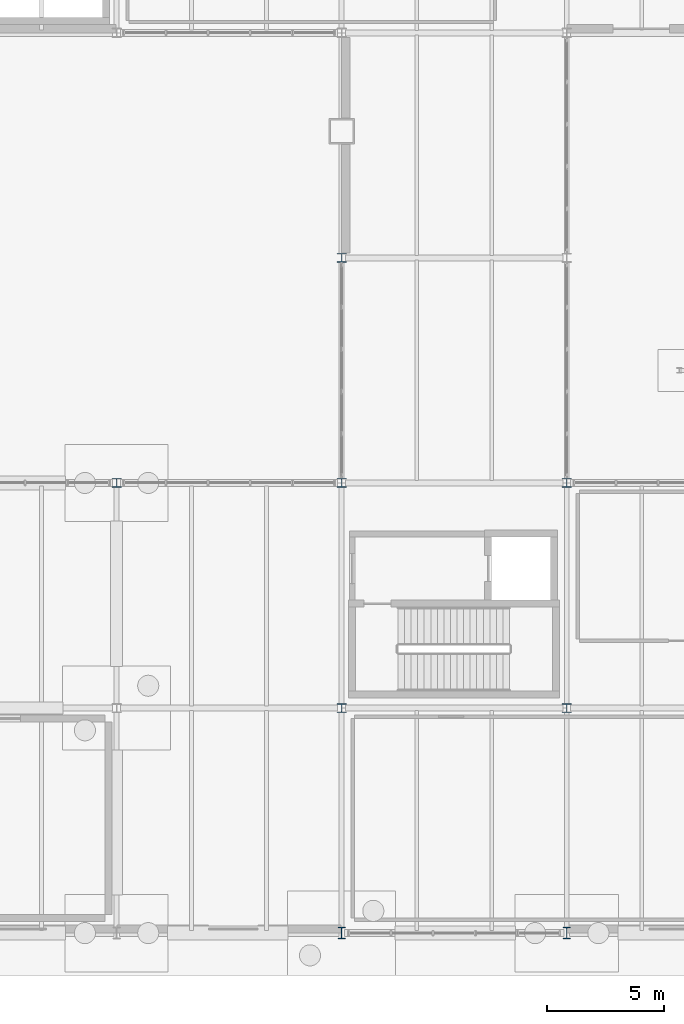
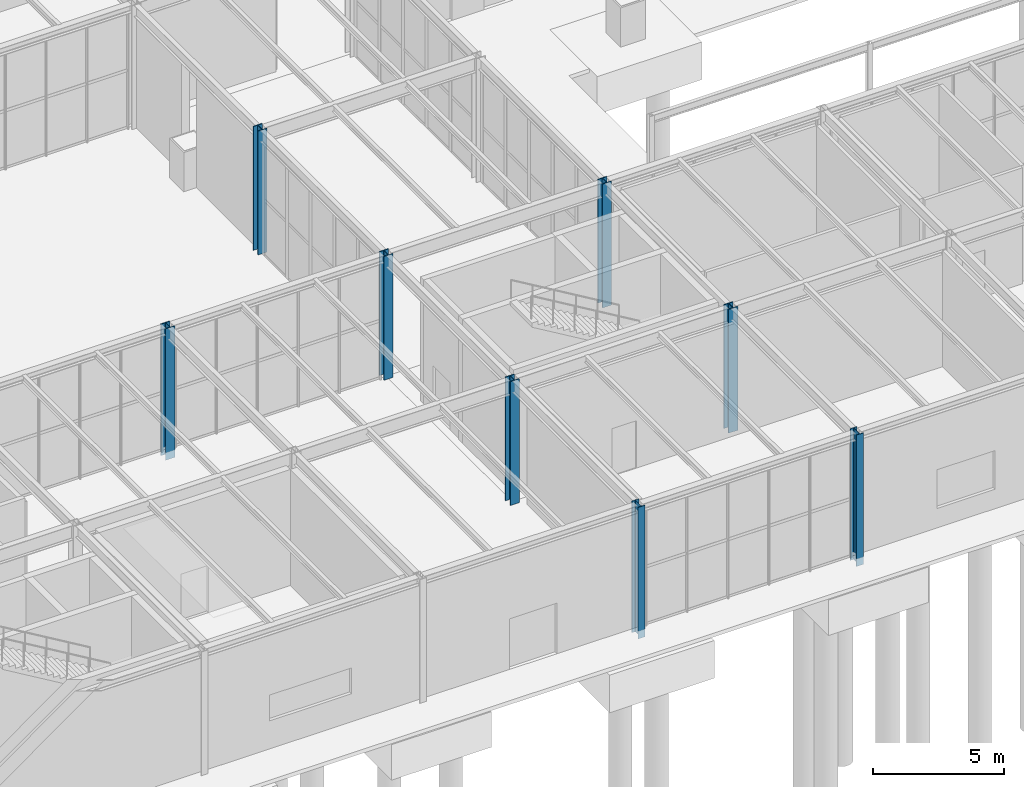
# One storey, part 7 of 142: 8 columns.
"""IFC4 building model written with IfcOpenShell, lengths in metres."""

import ifcopenshell
import ifcopenshell.guid

model = None  # the IFC model being written
_history = None  # IfcOwnerHistory: only IFC2X3 demands one
_inside = {}  # id of a spatial element -> (the spatial element, [elements in it])
_under = {}  # id of a project, library or spatial element -> (it, [spatial elements below it])
_declared = {}  # id of a project -> (the project, [libraries it declares])
_typed = {}  # id of a type object -> (the type object, [elements of that type])
_made_of = {}  # id of a material, layer set ... -> (it, [elements and type objects made of it])


def new_model(schema):
    """Start an empty IFC model of exactly this schema.

    Asked for "IFC4X3", IfcOpenShell would pick the latest addendum, in which some entities
    have other attributes; the version numbers below select the first issue.
    IFC2X3 requires an IfcOwnerHistory on every rooted entity: one is made here for all.
    """
    global model, _history
    if schema == "IFC4X3":
        model = ifcopenshell.file(schema_version=(4, 3, 0, 0))
    else:
        model = ifcopenshell.file(schema=schema)
    _inside.clear()
    _under.clear()
    _declared.clear()
    _typed.clear()
    _made_of.clear()
    _history = None
    if model.schema == "IFC2X3":
        org = make("IfcOrganization", Name="unknown")
        user = make(
            "IfcPersonAndOrganization",
            ThePerson=make("IfcPerson", FamilyName="unknown"),
            TheOrganization=org,
        )
        app = make(
            "IfcApplication",
            ApplicationDeveloper=org,
            Version="unknown",
            ApplicationFullName="unknown",
            ApplicationIdentifier="unknown",
        )
        _history = make(
            "IfcOwnerHistory",
            OwningUser=user,
            OwningApplication=app,
            ChangeAction="ADDED",
            CreationDate=0,
        )
    return model


def make(cls, **values):
    """One entity of the class cls with the attributes given. An attribute that is None is left unset."""
    return model.create_entity(
        cls, **{name: value for name, value in values.items() if value is not None}
    )


def rooted(cls, **values):
    """An entity with a GlobalId (a new one), such as an element, a storey or a relation."""
    return make(cls, GlobalId=ifcopenshell.guid.new(), OwnerHistory=_history, **values)


def si_unit(unit_type, name, prefix=None):
    """IfcSIUnit, for example si_unit("LENGTHUNIT", "METRE", prefix="MILLI")."""
    return make("IfcSIUnit", UnitType=unit_type, Prefix=prefix, Name=name)


def assignment(units):
    """IfcUnitAssignment: the units of a project."""
    return None if units is None else make("IfcUnitAssignment", Units=units)


def point(xyz):
    """IfcCartesianPoint."""
    return None if xyz is None else make("IfcCartesianPoint", Coordinates=xyz)


def direction(xyz):
    """IfcDirection."""
    return None if xyz is None else make("IfcDirection", DirectionRatios=xyz)


def frame(location, z_axis=None, x_axis=None):
    """IfcAxis2Placement3D, a coordinate frame: its origin and axes. An axis left out is left unset."""
    return make(
        "IfcAxis2Placement3D",
        Location=point(location),
        Axis=direction(z_axis),
        RefDirection=direction(x_axis),
    )


def frame_2d(location, x_axis=None):
    """IfcAxis2Placement2D, a coordinate frame in the plane: its origin and x axis."""
    return make(
        "IfcAxis2Placement2D", Location=point(location), RefDirection=direction(x_axis)
    )


def origin():
    """The frame at (0, 0, 0) with its axes left unset."""
    return frame((0.0, 0.0, 0.0))


def origin_2d():
    """The frame at (0, 0) in the plane with its x axis left unset."""
    return frame_2d((0.0, 0.0))


def place(relative_to, where):
    """IfcLocalPlacement: puts the frame where relative to a parent placement (None: the world)."""
    return make(
        "IfcLocalPlacement", PlacementRelTo=relative_to, RelativePlacement=where
    )


def context(
    kind, dimensions, precision=None, world=None, true_north=None, identifier=None
):
    """IfcGeometricRepresentationContext, for example the 3D "Model" context."""
    return make(
        "IfcGeometricRepresentationContext",
        ContextIdentifier=identifier,
        ContextType=kind,
        CoordinateSpaceDimension=dimensions,
        Precision=precision,
        WorldCoordinateSystem=world,
        TrueNorth=true_north,
    )


def subcontext(parent, identifier, kind, view, scale=None):
    """IfcGeometricRepresentationSubContext, for example "Body" below "Model"."""
    return make(
        "IfcGeometricRepresentationSubContext",
        ContextIdentifier=identifier,
        ContextType=kind,
        ParentContext=parent,
        TargetScale=scale,
        TargetView=view,
    )


def project(units=None, contexts=None):
    """IfcProject with its units and contexts."""
    return rooted(
        "IfcProject",
        Name="project",
        RepresentationContexts=contexts,
        UnitsInContext=assignment(units),
    )


def spatial(cls, under=None, at=None, **own):
    """A site, building, storey or space (cls), placed at a placement, below another one or the project."""
    s = rooted(cls, ObjectPlacement=at, **own)
    if under is not None:
        _under.setdefault(under.id(), (under, []))[1].append(s)
    return s


def profile(cls, at=None, kind="AREA", **sizes):
    """A parametric profile (cls). Its sizes go by their IFC names, for example OverallWidth=200.0."""
    return make(cls, ProfileType=kind, Position=at, **sizes)


def i_section(**sizes):
    """IfcIShapeProfileDef."""
    return profile("IfcIShapeProfileDef", **sizes)


def extrude(swept, where, along, depth):
    """IfcExtrudedAreaSolid: the profile swept, set in the frame where, extruded along a direction by depth."""
    return make(
        "IfcExtrudedAreaSolid",
        SweptArea=swept,
        Position=where,
        ExtrudedDirection=direction(along),
        Depth=depth,
    )


def shape(context_of_items, identifier, shape_type, items):
    """IfcShapeRepresentation: the items that make up one representation, for example the "Body"."""
    return make(
        "IfcShapeRepresentation",
        ContextOfItems=context_of_items,
        RepresentationIdentifier=identifier,
        RepresentationType=shape_type,
        Items=items,
    )


def material(Name=None, Category=None):
    """IfcMaterial."""
    return make("IfcMaterial", Name=Name, Category=Category)


def material_profile(
    of_material, cross_section, Name=None, Category=None, Priority=None
):
    """IfcMaterialProfile: a cross section and its material."""
    return make(
        "IfcMaterialProfile",
        Name=Name,
        Material=of_material,
        Profile=cross_section,
        Priority=Priority,
        Category=Category,
    )


def profile_set(profiles, Name=None, composite=None):
    """IfcMaterialProfileSet."""
    return make(
        "IfcMaterialProfileSet",
        Name=Name,
        MaterialProfiles=profiles,
        CompositeProfile=composite,
    )


def made_of(thing, what):
    """Note that an element or type object is made of a material, layer set ...; save() writes the relation."""
    if what is not None:
        _made_of.setdefault(what.id(), (what, []))[1].append(thing)
    return thing


def type_object(cls, material=None, **own):
    """A type object (cls), such as IfcWallType, which elements share."""
    return made_of(rooted(cls, **own), material)


def element(
    cls,
    number,
    at=None,
    inside=None,
    cuts=None,
    type_object=None,
    material=None,
    context=None,
    identifier="Body",
    shape_type=None,
    held_by="IfcProductDefinitionShape",
    body=None,
    shapes=None,
    **own,
):
    """One element of the class cls, such as IfcWall. Its Tag is "e" and its number.

    at: its placement. inside: the storey or other place that contains it. cuts: it is an
    opening in that element (IfcRelVoidsElement). A single representation is given by context,
    identifier, shape_type and body (its items); several are given by shapes. held_by: the class
    of the entity that holds the representations. save() writes the other relations.
    """
    e = rooted(cls, Tag="e%d" % number, ObjectPlacement=at, **own)
    if body is not None:
        shapes = [shape(context, identifier, shape_type, body)]
    if shapes is not None:
        e.Representation = make(held_by, Representations=shapes)
    if inside is not None:
        _inside.setdefault(inside.id(), (inside, []))[1].append(e)
    if cuts is not None:
        rooted(
            "IfcRelVoidsElement", RelatingBuildingElement=cuts, RelatedOpeningElement=e
        )
    if type_object is not None:
        _typed.setdefault(type_object.id(), (type_object, []))[1].append(e)
    return made_of(e, material)


def aggregate(whole, parts):
    """IfcRelAggregates: a whole, such as a stair, and the parts it consists of."""
    return rooted("IfcRelAggregates", RelatingObject=whole, RelatedObjects=parts)


def save(model, path):
    """Write the relations noted so far, then the file.

    IfcRelAggregates (storeys below a building ...), IfcRelContainedInSpatialStructure (elements
    in a storey), IfcRelDefinesByType, IfcRelAssociatesMaterial and IfcRelDeclares: one each for
    every whole, place, type object, material and project.
    """
    for whole, parts in _under.values():
        aggregate(whole, parts)
    for where, things in _inside.values():
        rooted(
            "IfcRelContainedInSpatialStructure",
            RelatedElements=things,
            RelatingStructure=where,
        )
    for kind, things in _typed.values():
        rooted("IfcRelDefinesByType", RelatedObjects=things, RelatingType=kind)
    for what, things in _made_of.values():
        rooted("IfcRelAssociatesMaterial", RelatedObjects=things, RelatingMaterial=what)
    for by, libraries in _declared.values():
        rooted("IfcRelDeclares", RelatingContext=by, RelatedDefinitions=libraries)
    model.write(path)


model = new_model("IFC4")

# Units and contexts
model_context = context("Model", 3, precision=1e-05, world=origin(), true_north=direction((0.0, 1.0)))
body_context = subcontext(model_context, "Body", "Model", "MODEL_VIEW")
ifc_project = project(units=[si_unit("LENGTHUNIT", "METRE"), si_unit("AREAUNIT", "SQUARE_METRE"), si_unit("VOLUMEUNIT", "CUBIC_METRE"), si_unit("PLANEANGLEUNIT", "RADIAN"), si_unit("MASSUNIT", "GRAM", prefix="KILO")], contexts=[model_context])

# Site, building, storey
site_placement = place(None, origin())
site = spatial("IfcSite", under=ifc_project, at=site_placement, CompositionType="ELEMENT")
building_placement = place(site_placement, origin())
building = spatial("IfcBuilding", under=site, at=building_placement, Name="Coralgate Yard Interchange", CompositionType="ELEMENT")
storey_placement = place(building_placement, origin())
storey = spatial("IfcBuildingStorey", under=building, at=storey_placement, Name="L00", CompositionType="ELEMENT", Elevation=0.0)

# Columns
ifc_material = material(Name="Structural steel S355J2", Category="steel")
ifc_material_profile_1 = material_profile(ifc_material, i_section(OverallWidth=0.39892578125, OverallDepth=0.3935546875, WebThickness=0.022705078125, FlangeThickness=0.03662109375, FilletRadius=0.01513671875, at=origin_2d()), Name="UC 356x406x287")
ifc_profile_set_1 = profile_set([ifc_material_profile_1], Name="Structural steel S355J2")
column_type_1 = type_object("IfcColumnType", Name="COL-SC-1", PredefinedType="COLUMN", material=ifc_profile_set_1)
column_placement = place(storey_placement, frame((38.39990234375, 19.199951171875, -0.360107421875), z_axis=(0.0, 0.0, 1.0), x_axis=(1.0, 0.0, 0.0)))
element("IfcColumn", 1, at=column_placement, inside=storey, type_object=column_type_1, Name="L00 structural column 4-2", PredefinedType="COLUMN", context=body_context, shape_type="SweptSolid", body=[
    extrude(i_section(OverallWidth=0.39892578125, OverallDepth=0.3935546875, WebThickness=0.022705078125, FlangeThickness=0.03662109375, FilletRadius=0.01513671875, at=origin_2d()), origin(), (0.0, 0.0, 1.0), 6.110107421875),
])
for number, where, z_axis, x_axis, name in (
    (2, (48.0, 9.60009765625, 0.0), (0.0, 0.0, 1.0), (1.0, 0.0, 0.0), "L00 structural column 5-1"),
    (3, (48.0, 19.199951171875, 0.0), (0.0, 0.0, 1.0), (1.0, 0.0, 0.0), "L00 structural column 5-2"),
    (4, (48.0, 28.800048828125, 0.0), (0.0, 0.0, 1.0), (1.0, 0.0, 0.0), "L00 structural column 5-3"),
    (5, (57.60009765625, 9.60009765625, 0.0), (0.0, 0.0, 1.0), (1.0, 0.0, 0.0), "L00 structural column 6-1"),
    (6, (57.60009765625, 19.199951171875, 0.0), (0.0, 0.0, 1.0), (1.0, 0.0, 0.0), "L00 structural column 6-2"),
):
    element("IfcColumn", number, at=place(storey_placement, frame(where, z_axis=z_axis, x_axis=x_axis)), inside=storey, type_object=column_type_1, Name=name, PredefinedType="COLUMN", context=body_context, shape_type="SweptSolid", body=[
        extrude(i_section(OverallWidth=0.39892578125, OverallDepth=0.3935546875, WebThickness=0.022705078125, FlangeThickness=0.03662109375, FilletRadius=0.01513671875, at=origin_2d()), origin(), (0.0, 0.0, 1.0), 5.75),
    ])
ifc_material_profile_2 = material_profile(ifc_material, i_section(OverallWidth=0.300048828125, OverallDepth=0.5, WebThickness=0.014404296875, FlangeThickness=0.028076171875, FilletRadius=0.027099609375, at=origin_2d()), Name="HEB 500")
ifc_profile_set_2 = profile_set([ifc_material_profile_2], Name="Structural steel S355J2")
column_type_2 = type_object("IfcColumnType", Name="COL-SC-10", PredefinedType="COLUMN", material=ifc_profile_set_2)
for number, where, z_axis, x_axis, name in (
    (7, (48.0, 0.0, -0.360107421875), (0.0, 0.0, 1.0), (1.0, 0.0, 0.0), "L00 structural column 5-0"),
    (8, (57.60009765625, 0.0, -0.360107421875), (0.0, 0.0, 1.0), (1.0, 0.0, 0.0), "L00 structural column 6-0"),
):
    element("IfcColumn", number, at=place(storey_placement, frame(where, z_axis=z_axis, x_axis=x_axis)), inside=storey, type_object=column_type_2, Name=name, PredefinedType="COLUMN", context=body_context, shape_type="SweptSolid", body=[
        extrude(i_section(OverallWidth=0.300048828125, OverallDepth=0.5, WebThickness=0.014404296875, FlangeThickness=0.028076171875, FilletRadius=0.027099609375, at=origin_2d()), origin(), (0.0, 0.0, 1.0), 6.110107421875),
    ])

save(model, "model.ifc")
